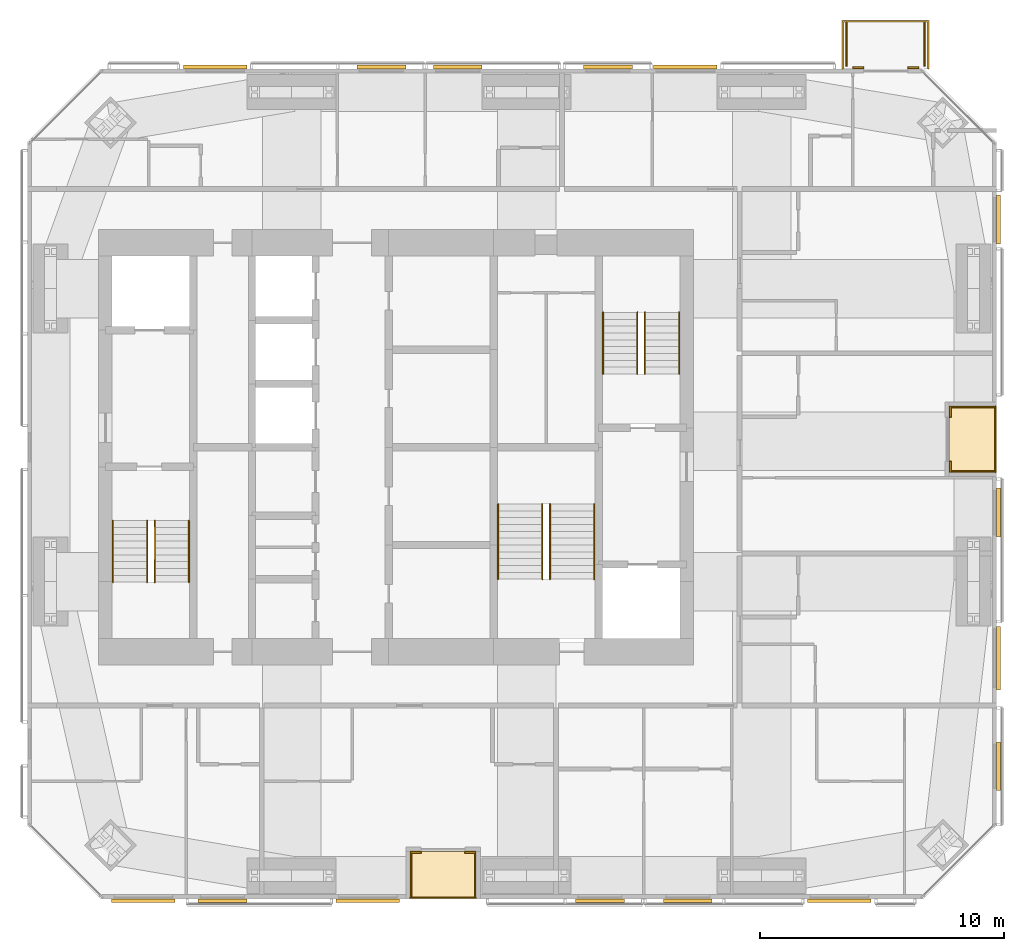
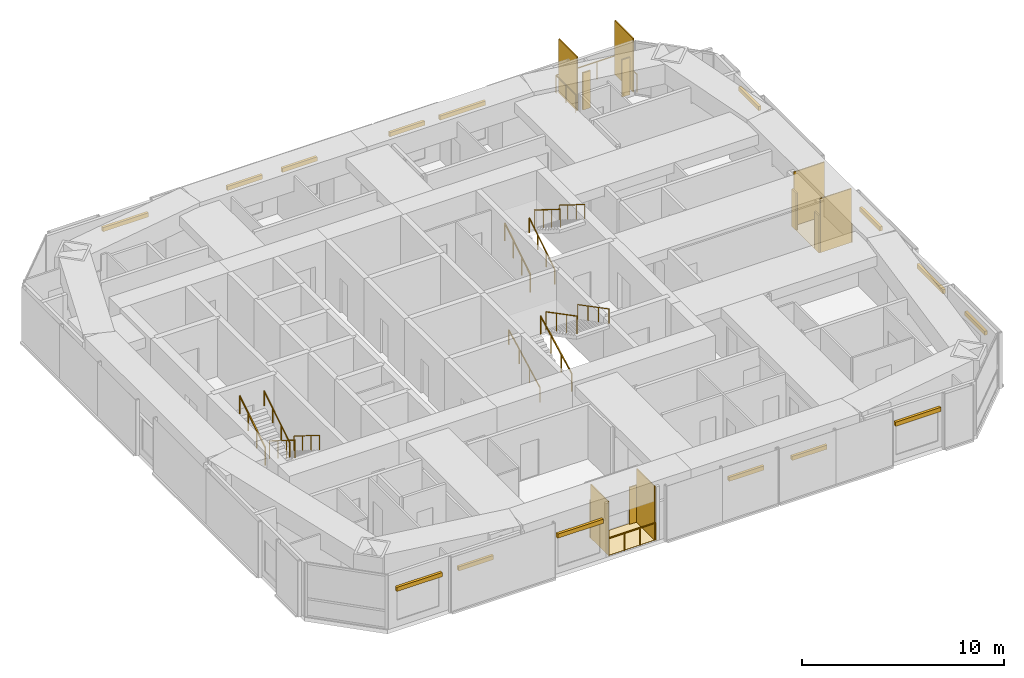
# One storey, part 19 of 19: 27 shading devices, 15 railings, 2 coverings.
"""IFC4 building model written with IfcOpenShell, lengths in metres."""

from ifc_helpers import new_model, si_unit, direction, frame, origin, origin_2d, place, context, subcontext, project, spatial, polyline, rectangle, circle, outline, extrude, material, layer, layer_set, constituent, constituent_set, type_object, element, save


model = new_model("IFC4")

# Units and contexts
model_context = context("Model", 3, precision=1e-05, world=origin(), true_north=direction((0.0, 1.0)))
body_context = subcontext(model_context, "Body", "Model", "MODEL_VIEW")
ifc_project = project(units=[si_unit("LENGTHUNIT", "METRE"), si_unit("AREAUNIT", "SQUARE_METRE"), si_unit("VOLUMEUNIT", "CUBIC_METRE"), si_unit("PLANEANGLEUNIT", "RADIAN"), si_unit("MASSUNIT", "GRAM", prefix="KILO")], contexts=[model_context])

# Site, building, storey
site_placement = place(None, origin())
site = spatial("IfcSite", under=ifc_project, at=site_placement, CompositionType="ELEMENT")
building_placement = place(site_placement, origin())
building = spatial("IfcBuilding", under=site, at=building_placement, Name="Jalousie Tower", CompositionType="ELEMENT")
storey_placement = place(building_placement, frame((0.0, 0.0, 221.449951171875)))
storey = spatial("IfcBuildingStorey", under=building, at=storey_placement, Name="L60", CompositionType="ELEMENT", Elevation=221.449951171875)

# Shading devices
ifc_material_1 = material(Name="Aluminium impact-rated louvred storm shutter", Category="aluminium")
shading_device_type_1 = type_object("IfcShadingDeviceType", Name="BI-FOLD STORM SHUTTER 900x2250", PredefinedType="SHUTTER", material=ifc_material_1)
for number, where, z_axis, x_axis, name in (
    (1, (32.699951171875, 1.909912109375, 0.0), (0.0, 0.0, 1.0), (1.0, 0.0, 0.0), "Loggia storm shutter L60"),
    (2, (34.949951171875, 1.909912109375, 0.0), (0.0, 0.0, 1.0), (1.0, 0.0, 0.0), "Loggia storm shutter L60"),
    (3, (54.590087890625, 17.699951171875, 0.0), (0.0, 0.0, 1.0), (0.0, 1.0, 0.0), "Loggia storm shutter L60"),
    (4, (54.590087890625, 19.949951171875, 0.0), (0.0, 0.0, 1.0), (0.0, 1.0, 0.0), "Loggia storm shutter L60"),
    (5, (53.07373046875, 34.0400390625, 0.0), (0.0, 0.0, 1.0), (-1.0, 0.0, 0.0), "Balcony storm shutter L60"),
    (6, (50.82373046875, 34.0400390625, 0.0), (0.0, 0.0, 1.0), (-1.0, 0.0, 0.0), "Balcony storm shutter L60"),
):
    element("IfcShadingDevice", number, at=place(storey_placement, frame(where, z_axis=z_axis, x_axis=x_axis)), inside=storey, type_object=shading_device_type_1, Name=name, PredefinedType="SHUTTER", context=body_context, shape_type="SweptSolid", body=[
        extrude(rectangle(XDim=0.449951171875, YDim=0.080078125, at=origin_2d()), origin(), (0.0, 0.0, 1.0), 2.25),
    ])

# Railings
ifc_material_2 = material(Name="Powder-coated aluminium fretwork", Category="aluminium")
railing_type_1 = type_object("IfcRailingType", Name="FRETWORK BALUSTRADE 1100", PredefinedType="BALUSTRADE", material=ifc_material_2)
railing_1_placement = place(storey_placement, frame((32.47509765625, 0.050048828125, 0.0)))
element("IfcRailing", 7, at=railing_1_placement, inside=storey, type_object=railing_type_1, Name="Loggia fretwork balustrade L60", PredefinedType="BALUSTRADE", context=body_context, shape_type="SweptSolid", body=[
    extrude(rectangle(XDim=0.048095703125, YDim=0.048095703125, at=origin_2d()), frame((0.0, 0.0, 1.076171875), z_axis=(1.0, 0.0, 0.0), x_axis=(0.0, 1.0, 0.0)), (0.0, 0.0, 1.0), 2.699951171875),
    extrude(circle(Radius=0.02099609375, at=origin_2d()), origin(), (0.0, 0.0, 1.0), 1.052001953125),
    extrude(circle(Radius=0.02099609375, at=origin_2d()), frame((0.89990234375, 0.0, 0.0)), (0.0, 0.0, 1.0), 1.052001953125),
    extrude(circle(Radius=0.02099609375, at=origin_2d()), frame((1.800048828125, 0.0, 0.0)), (0.0, 0.0, 1.0), 1.052001953125),
    extrude(circle(Radius=0.02099609375, at=origin_2d()), frame((2.699951171875, 0.0, 0.0)), (0.0, 0.0, 1.0), 1.052001953125),
])
railing_2_placement = place(storey_placement, frame((56.449951171875, 17.47509765625, 0.0)))
element("IfcRailing", 8, at=railing_2_placement, inside=storey, type_object=railing_type_1, Name="Loggia fretwork balustrade L60", PredefinedType="BALUSTRADE", context=body_context, shape_type="SweptSolid", body=[
    extrude(rectangle(XDim=0.048095703125, YDim=0.048095703125, at=origin_2d()), frame((0.0, 0.0, 1.076171875), z_axis=(0.0, 1.0, 0.0), x_axis=(-1.0, 0.0, 0.0)), (0.0, 0.0, 1.0), 2.699951171875),
    extrude(circle(Radius=0.02099609375, at=origin_2d()), origin(), (0.0, 0.0, 1.0), 1.052001953125),
    extrude(circle(Radius=0.02099609375, at=origin_2d()), frame((0.0, 0.89990234375, 0.0)), (0.0, 0.0, 1.0), 1.052001953125),
    extrude(circle(Radius=0.02099609375, at=origin_2d()), frame((0.0, 1.800048828125, 0.0)), (0.0, 0.0, 1.0), 1.052001953125),
    extrude(circle(Radius=0.02099609375, at=origin_2d()), frame((0.0, 2.699951171875, 0.0)), (0.0, 0.0, 1.0), 1.052001953125),
])
railing_3_placement = place(storey_placement, frame((53.69873046875, 34.0, 0.0)))
element("IfcRailing", 9, at=railing_3_placement, inside=storey, type_object=railing_type_1, Name="Balcony fretwork balustrade L60", PredefinedType="BALUSTRADE", context=body_context, shape_type="SweptSolid", body=[
    extrude(rectangle(XDim=0.048095703125, YDim=0.048095703125, at=origin_2d()), frame((0.0, 0.0, 1.076171875), z_axis=(0.0, 1.0, 0.0), x_axis=(-1.0, 0.0, 0.0)), (0.0, 0.0, 1.0), 1.949951171875),
    extrude(rectangle(XDim=0.048095703125, YDim=0.048095703125, at=origin_2d()), frame((0.0, 1.949951171875, 1.076171875), z_axis=(-1.0, 0.0, 0.0), x_axis=(0.0, -1.0, 0.0)), (0.0, 0.0, 1.0), 3.5),
    extrude(rectangle(XDim=0.048095703125, YDim=0.048095703125, at=origin_2d()), frame((-3.5, 1.949951171875, 1.076171875), z_axis=(0.0, -1.0, 0.0), x_axis=(1.0, 0.0, 0.0)), (0.0, 0.0, 1.0), 1.949951171875),
    extrude(circle(Radius=0.02099609375, at=origin_2d()), origin(), (0.0, 0.0, 1.0), 1.052001953125),
    extrude(circle(Radius=0.02099609375, at=origin_2d()), frame((0.0, 0.97509765625, 0.0)), (0.0, 0.0, 1.0), 1.052001953125),
    extrude(circle(Radius=0.02099609375, at=origin_2d()), frame((0.0, 1.949951171875, 0.0)), (0.0, 0.0, 1.0), 1.052001953125),
    extrude(circle(Radius=0.02099609375, at=origin_2d()), frame((-1.166748046875, 1.949951171875, 0.0)), (0.0, 0.0, 1.0), 1.052001953125),
    extrude(circle(Radius=0.02099609375, at=origin_2d()), frame((-2.333251953125, 1.949951171875, 0.0)), (0.0, 0.0, 1.0), 1.052001953125),
    extrude(circle(Radius=0.02099609375, at=origin_2d()), frame((-3.5, 1.949951171875, 0.0)), (0.0, 0.0, 1.0), 1.052001953125),
    extrude(circle(Radius=0.02099609375, at=origin_2d()), frame((-3.5, 0.97509765625, 0.0)), (0.0, 0.0, 1.0), 1.052001953125),
    extrude(circle(Radius=0.02099609375, at=origin_2d()), frame((-3.5, 0.0, 0.0)), (0.0, 0.0, 1.0), 1.052001953125),
])

# Shading devices
ifc_material_3 = material(Name="Powder-coated aluminium louvres", Category="aluminium")
ifc_layer_1 = layer(ifc_material_3, 0.06005859375)
ifc_layer_set_1 = layer_set([ifc_layer_1], Name="Powder-coated aluminium louvres")
shading_device_type_2 = type_object("IfcShadingDeviceType", Name="JALOUSIE LOUVRE SCREEN", PredefinedType="JALOUSIE", material=ifc_layer_set_1)
for number, where, z_axis, x_axis, name in (
    (10, (32.5048828125, 0.97509765625, 0.0), (0.0, 0.0, 1.0), (1.0, 0.0, 0.0), "Loggia jalousie louvre screen L60"),
    (11, (35.14501953125, 0.97509765625, 0.0), (0.0, 0.0, 1.0), (1.0, 0.0, 0.0), "Loggia jalousie louvre screen L60"),
    (12, (55.52490234375, 17.5048828125, 0.0), (0.0, 0.0, 1.0), (0.0, 1.0, 0.0), "Loggia jalousie louvre screen L60"),
    (13, (55.52490234375, 20.14501953125, 0.0), (0.0, 0.0, 1.0), (0.0, 1.0, 0.0), "Loggia jalousie louvre screen L60"),
):
    element("IfcShadingDevice", number, at=place(storey_placement, frame(where, z_axis=z_axis, x_axis=x_axis)), inside=storey, type_object=shading_device_type_2, Name=name, PredefinedType="JALOUSIE", context=body_context, shape_type="SweptSolid", body=[
        extrude(rectangle(XDim=0.06005859375, YDim=1.75, at=origin_2d()), origin(), (0.0, 0.0, 1.0), 3.260009765625),
    ])
for number, where, z_axis, x_axis, name in (
    (14, (53.548583984375, 35.0, 0.0), (0.0, 0.0, 1.0), (-1.0, 0.0, 0.0), "Jalousie louvre screen L60"),
    (15, (50.3486328125, 35.0, 0.0), (0.0, 0.0, 1.0), (-1.0, 0.0, 0.0), "Jalousie louvre screen L60"),
):
    element("IfcShadingDevice", number, at=place(storey_placement, frame(where, z_axis=z_axis, x_axis=x_axis)), inside=storey, type_object=shading_device_type_2, Name=name, PredefinedType="JALOUSIE", context=body_context, shape_type="SweptSolid", body=[
        extrude(rectangle(XDim=0.06005859375, YDim=1.800048828125, at=origin_2d()), origin(), (0.0, 0.0, 1.0), 3.260009765625),
    ])

# Railings
ifc_material_4 = material(Name="Steel ASTM A500 Grade C", Category="steel")
ifc_constituent_1 = constituent(ifc_material_4, Name="Body")
ifc_material_5 = material(Name="Hot-dip galvanised zinc coating")
ifc_constituent_2 = constituent(ifc_material_5, Name="Finish")
ifc_constituent_set_1 = constituent_set(constituents=[ifc_constituent_1, ifc_constituent_2])
railing_type_2 = type_object("IfcRailingType", Name="STAIR GUARD 1100", PredefinedType="GUARDRAIL", material=ifc_constituent_set_1)
railing_4_placement = place(storey_placement, frame((22.017578125, 15.49755859375, 0.175048828125)))
element("IfcRailing", 16, at=railing_4_placement, inside=storey, type_object=railing_type_2, Name="Exit stair A guard L60 flight 1", PredefinedType="GUARDRAIL", context=body_context, shape_type="SweptSolid", body=[
    extrude(rectangle(XDim=0.048095703125, YDim=0.048095703125, at=origin_2d()), frame((0.0, 0.0, 1.076171875), z_axis=(0.0, -0.848007534815, 0.529984170421), x_axis=(1.0, 0.0, 0.0)), (0.0, 0.0, 1.0), 2.9716796875),
    extrude(circle(Radius=0.02099609375, at=origin_2d()), origin(), (0.0, 0.0, 1.0), 1.052001953125),
    extrude(circle(Radius=0.02099609375, at=origin_2d()), frame((0.0, -0.840087890625, 0.52490234375)), (0.0, 0.0, 1.0), 1.052001953125),
    extrude(circle(Radius=0.02099609375, at=origin_2d()), frame((0.0, -1.679931640625, 1.050048828125)), (0.0, 0.0, 1.0), 1.052001953125),
    extrude(circle(Radius=0.02099609375, at=origin_2d()), frame((0.0, -2.52001953125, 1.574951171875)), (0.0, 0.0, 1.0), 1.052001953125),
])
for number, where, name in (
    (17, (20.304931640625, 12.9775390625, 1.925048828125), "Exit stair A guard L60 flight 2"),
    (18, (40.3798828125, 21.50244140625, 0.175048828125), "Exit stair B guard L60 flight 1"),
):
    element("IfcRailing", number, at=place(storey_placement, frame(where)), inside=storey, type_object=railing_type_2, Name=name, PredefinedType="GUARDRAIL", context=body_context, shape_type="SweptSolid", body=[
        extrude(rectangle(XDim=0.048095703125, YDim=0.048095703125, at=origin_2d()), frame((0.0, 0.0, 1.076171875), z_axis=(0.0, 0.848007534815, 0.529984170421), x_axis=(-1.0, 0.0, 0.0)), (0.0, 0.0, 1.0), 2.9716796875),
        extrude(circle(Radius=0.02099609375, at=origin_2d()), origin(), (0.0, 0.0, 1.0), 1.052001953125),
        extrude(circle(Radius=0.02099609375, at=origin_2d()), frame((0.0, 0.840087890625, 0.52490234375)), (0.0, 0.0, 1.0), 1.052001953125),
        extrude(circle(Radius=0.02099609375, at=origin_2d()), frame((0.0, 1.679931640625, 1.050048828125)), (0.0, 0.0, 1.0), 1.052001953125),
        extrude(circle(Radius=0.02099609375, at=origin_2d()), frame((0.0, 2.52001953125, 1.574951171875)), (0.0, 0.0, 1.0), 1.052001953125),
    ])
railing_5_placement = place(storey_placement, frame((42.092529296875, 24.0224609375, 1.925048828125)))
element("IfcRailing", 19, at=railing_5_placement, inside=storey, type_object=railing_type_2, Name="Exit stair B guard L60 flight 2", PredefinedType="GUARDRAIL", context=body_context, shape_type="SweptSolid", body=[
    extrude(rectangle(XDim=0.048095703125, YDim=0.048095703125, at=origin_2d()), frame((0.0, 0.0, 1.076171875), z_axis=(0.0, -0.848007534815, 0.529984170421), x_axis=(1.0, 0.0, 0.0)), (0.0, 0.0, 1.0), 2.9716796875),
    extrude(circle(Radius=0.02099609375, at=origin_2d()), origin(), (0.0, 0.0, 1.0), 1.052001953125),
    extrude(circle(Radius=0.02099609375, at=origin_2d()), frame((0.0, -0.840087890625, 0.52490234375)), (0.0, 0.0, 1.0), 1.052001953125),
    extrude(circle(Radius=0.02099609375, at=origin_2d()), frame((0.0, -1.679931640625, 1.050048828125)), (0.0, 0.0, 1.0), 1.052001953125),
    extrude(circle(Radius=0.02099609375, at=origin_2d()), frame((0.0, -2.52001953125, 1.574951171875)), (0.0, 0.0, 1.0), 1.052001953125),
])
railing_6_placement = place(storey_placement, frame((37.89501953125, 13.097412109375, 0.145751953125)))
element("IfcRailing", 20, at=railing_6_placement, inside=storey, type_object=railing_type_2, Name="Exit stair C guard L60 flight 1", PredefinedType="GUARDRAIL", context=body_context, shape_type="SweptSolid", body=[
    extrude(rectangle(XDim=0.048095703125, YDim=0.048095703125, at=origin_2d()), frame((0.0, 0.0, 1.076171875), z_axis=(0.0, 0.886909283822, 0.461943635383), x_axis=(-1.0, 0.0, 0.0)), (0.0, 0.0, 1.0), 3.472900390625),
    extrude(circle(Radius=0.02099609375, at=origin_2d()), origin(), (0.0, 0.0, 1.0), 1.052001953125),
    extrude(circle(Radius=0.02099609375, at=origin_2d()), frame((0.0, 1.026611328125, 0.53466796875)), (0.0, 0.0, 1.0), 1.052001953125),
    extrude(circle(Radius=0.02099609375, at=origin_2d()), frame((0.0, 2.053466796875, 1.069580078125)), (0.0, 0.0, 1.0), 1.052001953125),
    extrude(circle(Radius=0.02099609375, at=origin_2d()), frame((0.0, 3.080078125, 1.604248046875)), (0.0, 0.0, 1.0), 1.052001953125),
])
railing_7_placement = place(storey_placement, frame((38.205078125, 16.177490234375, 1.895751953125)))
element("IfcRailing", 21, at=railing_7_placement, inside=storey, type_object=railing_type_2, Name="Exit stair C guard L60 flight 2", PredefinedType="GUARDRAIL", context=body_context, shape_type="SweptSolid", body=[
    extrude(rectangle(XDim=0.048095703125, YDim=0.048095703125, at=origin_2d()), frame((0.0, 0.0, 1.076171875), z_axis=(0.0, -0.886909283822, 0.461943635383), x_axis=(1.0, 0.0, 0.0)), (0.0, 0.0, 1.0), 3.472900390625),
    extrude(circle(Radius=0.02099609375, at=origin_2d()), origin(), (0.0, 0.0, 1.0), 1.052001953125),
    extrude(circle(Radius=0.02099609375, at=origin_2d()), frame((0.0, -1.026611328125, 0.53466796875)), (0.0, 0.0, 1.0), 1.052001953125),
    extrude(circle(Radius=0.02099609375, at=origin_2d()), frame((0.0, -2.053466796875, 1.069580078125)), (0.0, 0.0, 1.0), 1.052001953125),
    extrude(circle(Radius=0.02099609375, at=origin_2d()), frame((0.0, -3.080078125, 1.604248046875)), (0.0, 0.0, 1.0), 1.052001953125),
])
ifc_material_6 = material(Name="Steel ASTM A500 Grade C", Category="steel")
ifc_constituent_3 = constituent(ifc_material_6, Name="Body")
ifc_material_7 = material(Name="Hot-dip galvanised zinc coating")
ifc_constituent_4 = constituent(ifc_material_7, Name="Finish")
ifc_constituent_set_2 = constituent_set(constituents=[ifc_constituent_3, ifc_constituent_4])
railing_type_3 = type_object("IfcRailingType", Name="STAIR HANDRAIL 900", PredefinedType="HANDRAIL", material=ifc_constituent_set_2)
railing_8_placement = place(storey_placement, frame((23.420166015625, 15.49755859375, 0.175048828125)))
element("IfcRailing", 22, at=railing_8_placement, inside=storey, type_object=railing_type_3, Name="Exit stair A handrail L60 flight 1", PredefinedType="HANDRAIL", context=body_context, shape_type="SweptSolid", body=[
    extrude(circle(Radius=0.02392578125, at=origin_2d()), frame((0.0, 0.0, 0.8759765625), z_axis=(0.0, -0.848007534815, 0.529984170421), x_axis=(1.0, 0.0, 0.0)), (0.0, 0.0, 1.0), 2.9716796875),
    extrude(circle(Radius=0.02099609375, at=origin_2d()), origin(), (0.0, 0.0, 1.0), 0.851806640625),
    extrude(circle(Radius=0.02099609375, at=origin_2d()), frame((0.0, -0.840087890625, 0.52490234375)), (0.0, 0.0, 1.0), 0.851806640625),
    extrude(circle(Radius=0.02099609375, at=origin_2d()), frame((0.0, -1.679931640625, 1.050048828125)), (0.0, 0.0, 1.0), 0.851806640625),
    extrude(circle(Radius=0.02099609375, at=origin_2d()), frame((0.0, -2.52001953125, 1.574951171875)), (0.0, 0.0, 1.0), 0.851806640625),
])
for number, where, name in (
    (23, (21.70751953125, 12.9775390625, 1.925048828125), "Exit stair A handrail L60 flight 2"),
    (24, (41.782470703125, 21.50244140625, 0.175048828125), "Exit stair B handrail L60 flight 1"),
):
    element("IfcRailing", number, at=place(storey_placement, frame(where)), inside=storey, type_object=railing_type_3, Name=name, PredefinedType="HANDRAIL", context=body_context, shape_type="SweptSolid", body=[
        extrude(circle(Radius=0.02392578125, at=origin_2d()), frame((0.0, 0.0, 0.8759765625), z_axis=(0.0, 0.848007534815, 0.529984170421), x_axis=(-1.0, 0.0, 0.0)), (0.0, 0.0, 1.0), 2.9716796875),
        extrude(circle(Radius=0.02099609375, at=origin_2d()), origin(), (0.0, 0.0, 1.0), 0.851806640625),
        extrude(circle(Radius=0.02099609375, at=origin_2d()), frame((0.0, 0.840087890625, 0.52490234375)), (0.0, 0.0, 1.0), 0.851806640625),
        extrude(circle(Radius=0.02099609375, at=origin_2d()), frame((0.0, 1.679931640625, 1.050048828125)), (0.0, 0.0, 1.0), 0.851806640625),
        extrude(circle(Radius=0.02099609375, at=origin_2d()), frame((0.0, 2.52001953125, 1.574951171875)), (0.0, 0.0, 1.0), 0.851806640625),
    ])
railing_9_placement = place(storey_placement, frame((43.4951171875, 24.0224609375, 1.925048828125)))
element("IfcRailing", 25, at=railing_9_placement, inside=storey, type_object=railing_type_3, Name="Exit stair B handrail L60 flight 2", PredefinedType="HANDRAIL", context=body_context, shape_type="SweptSolid", body=[
    extrude(circle(Radius=0.02392578125, at=origin_2d()), frame((0.0, 0.0, 0.8759765625), z_axis=(0.0, -0.848007534815, 0.529984170421), x_axis=(1.0, 0.0, 0.0)), (0.0, 0.0, 1.0), 2.9716796875),
    extrude(circle(Radius=0.02099609375, at=origin_2d()), origin(), (0.0, 0.0, 1.0), 0.851806640625),
    extrude(circle(Radius=0.02099609375, at=origin_2d()), frame((0.0, -0.840087890625, 0.52490234375)), (0.0, 0.0, 1.0), 0.851806640625),
    extrude(circle(Radius=0.02099609375, at=origin_2d()), frame((0.0, -1.679931640625, 1.050048828125)), (0.0, 0.0, 1.0), 0.851806640625),
    extrude(circle(Radius=0.02099609375, at=origin_2d()), frame((0.0, -2.52001953125, 1.574951171875)), (0.0, 0.0, 1.0), 0.851806640625),
])
railing_10_placement = place(storey_placement, frame((36.080078125, 13.097412109375, 0.145751953125)))
element("IfcRailing", 26, at=railing_10_placement, inside=storey, type_object=railing_type_3, Name="Exit stair C handrail L60 flight 1", PredefinedType="HANDRAIL", context=body_context, shape_type="SweptSolid", body=[
    extrude(circle(Radius=0.02392578125, at=origin_2d()), frame((0.0, 0.0, 0.8759765625), z_axis=(0.0, 0.886909283822, 0.461943635383), x_axis=(-1.0, 0.0, 0.0)), (0.0, 0.0, 1.0), 3.472900390625),
    extrude(circle(Radius=0.02099609375, at=origin_2d()), origin(), (0.0, 0.0, 1.0), 0.851806640625),
    extrude(circle(Radius=0.02099609375, at=origin_2d()), frame((0.0, 1.026611328125, 0.53466796875)), (0.0, 0.0, 1.0), 0.851806640625),
    extrude(circle(Radius=0.02099609375, at=origin_2d()), frame((0.0, 2.053466796875, 1.069580078125)), (0.0, 0.0, 1.0), 0.851806640625),
    extrude(circle(Radius=0.02099609375, at=origin_2d()), frame((0.0, 3.080078125, 1.604248046875)), (0.0, 0.0, 1.0), 0.851806640625),
])
railing_11_placement = place(storey_placement, frame((40.02001953125, 16.177490234375, 1.895751953125)))
element("IfcRailing", 27, at=railing_11_placement, inside=storey, type_object=railing_type_3, Name="Exit stair C handrail L60 flight 2", PredefinedType="HANDRAIL", context=body_context, shape_type="SweptSolid", body=[
    extrude(circle(Radius=0.02392578125, at=origin_2d()), frame((0.0, 0.0, 0.8759765625), z_axis=(0.0, -0.886909283822, 0.461943635383), x_axis=(1.0, 0.0, 0.0)), (0.0, 0.0, 1.0), 3.472900390625),
    extrude(circle(Radius=0.02099609375, at=origin_2d()), origin(), (0.0, 0.0, 1.0), 0.851806640625),
    extrude(circle(Radius=0.02099609375, at=origin_2d()), frame((0.0, -1.026611328125, 0.53466796875)), (0.0, 0.0, 1.0), 0.851806640625),
    extrude(circle(Radius=0.02099609375, at=origin_2d()), frame((0.0, -2.053466796875, 1.069580078125)), (0.0, 0.0, 1.0), 0.851806640625),
    extrude(circle(Radius=0.02099609375, at=origin_2d()), frame((0.0, -3.080078125, 1.604248046875)), (0.0, 0.0, 1.0), 0.851806640625),
])

# Shading devices
ifc_material_8 = material(Name="Aluminium roller storm shutter", Category="aluminium")
shading_device_type_3 = type_object("IfcShadingDeviceType", Name="STORM SHUTTER HOUSING", PredefinedType="SHUTTER", material=ifc_material_8)
shading_device_1_placement = place(storey_placement, frame((21.550537109375, -0.074951171875, 2.25), z_axis=(0.0, 0.0, 1.0), x_axis=(1.0, 0.0, 0.0)))
element("IfcShadingDevice", 28, at=shading_device_1_placement, inside=storey, type_object=shading_device_type_3, Name="Storm shutter L60", PredefinedType="SHUTTER", context=body_context, shape_type="SweptSolid", body=[
    extrude(rectangle(XDim=2.60009765625, YDim=0.14990234375, at=origin_2d()), origin(), (0.0, 0.0, 1.0), 0.25),
])
shading_device_2_placement = place(storey_placement, frame((24.791259765625, -0.074951171875, 2.25), z_axis=(0.0, 0.0, 1.0), x_axis=(1.0, 0.0, 0.0)))
element("IfcShadingDevice", 29, at=shading_device_2_placement, inside=storey, type_object=shading_device_type_3, Name="Storm shutter L60", PredefinedType="SHUTTER", context=body_context, shape_type="SweptSolid", body=[
    extrude(rectangle(XDim=2.0, YDim=0.14990234375, at=origin_2d()), origin(), (0.0, 0.0, 1.0), 0.25),
])
shading_device_3_placement = place(storey_placement, frame((30.75, -0.074951171875, 2.25), z_axis=(0.0, 0.0, 1.0), x_axis=(1.0, 0.0, 0.0)))
element("IfcShadingDevice", 30, at=shading_device_3_placement, inside=storey, type_object=shading_device_type_3, Name="Storm shutter L60", PredefinedType="SHUTTER", context=body_context, shape_type="SweptSolid", body=[
    extrude(rectangle(XDim=2.60009765625, YDim=0.14990234375, at=origin_2d()), origin(), (0.0, 0.0, 1.0), 0.25),
])
for number, where, z_axis, x_axis, name in (
    (31, (40.25, -0.074951171875, 2.25), (0.0, 0.0, 1.0), (1.0, 0.0, 0.0), "Storm shutter L60"),
    (32, (43.85009765625, -0.074951171875, 2.25), (0.0, 0.0, 1.0), (1.0, 0.0, 0.0), "Storm shutter L60"),
):
    element("IfcShadingDevice", number, at=place(storey_placement, frame(where, z_axis=z_axis, x_axis=x_axis)), inside=storey, type_object=shading_device_type_3, Name=name, PredefinedType="SHUTTER", context=body_context, shape_type="SweptSolid", body=[
        extrude(rectangle(XDim=2.0, YDim=0.14990234375, at=origin_2d()), origin(), (0.0, 0.0, 1.0), 0.25),
    ])
shading_device_4_placement = place(storey_placement, frame((50.059326171875, -0.074951171875, 2.25), z_axis=(0.0, 0.0, 1.0), x_axis=(1.0, 0.0, 0.0)))
element("IfcShadingDevice", 33, at=shading_device_4_placement, inside=storey, type_object=shading_device_type_3, Name="Storm shutter L60", PredefinedType="SHUTTER", context=body_context, shape_type="SweptSolid", body=[
    extrude(rectangle(XDim=2.60009765625, YDim=0.14990234375, at=origin_2d()), origin(), (0.0, 0.0, 1.0), 0.25),
])
shading_device_5_placement = place(storey_placement, frame((56.574951171875, 5.43798828125, 2.25), z_axis=(0.0, 0.0, 1.0), x_axis=(0.0, 1.0, 0.0)))
element("IfcShadingDevice", 34, at=shading_device_5_placement, inside=storey, type_object=shading_device_type_3, Name="Storm shutter L60", PredefinedType="SHUTTER", context=body_context, shape_type="SweptSolid", body=[
    extrude(rectangle(XDim=2.0, YDim=0.14990234375, at=origin_2d()), origin(), (0.0, 0.0, 1.0), 0.25),
])
shading_device_6_placement = place(storey_placement, frame((56.574951171875, 9.867431640625, 2.25), z_axis=(0.0, 0.0, 1.0), x_axis=(0.0, 1.0, 0.0)))
element("IfcShadingDevice", 35, at=shading_device_6_placement, inside=storey, type_object=shading_device_type_3, Name="Storm shutter L60", PredefinedType="SHUTTER", context=body_context, shape_type="SweptSolid", body=[
    extrude(rectangle(XDim=2.60009765625, YDim=0.14990234375, at=origin_2d()), origin(), (0.0, 0.0, 1.0), 0.25),
])
for number, where, z_axis, x_axis, name in (
    (36, (56.574951171875, 15.826171875, 2.25), (0.0, 0.0, 1.0), (0.0, 1.0, 0.0), "Storm shutter L60"),
    (37, (56.574951171875, 27.824951171875, 2.25), (0.0, 0.0, 1.0), (0.0, 1.0, 0.0), "Storm shutter L60"),
):
    element("IfcShadingDevice", number, at=place(storey_placement, frame(where, z_axis=z_axis, x_axis=x_axis)), inside=storey, type_object=shading_device_type_3, Name=name, PredefinedType="SHUTTER", context=body_context, shape_type="SweptSolid", body=[
        extrude(rectangle(XDim=2.0, YDim=0.14990234375, at=origin_2d()), origin(), (0.0, 0.0, 1.0), 0.25),
    ])
shading_device_7_placement = place(storey_placement, frame((43.75, 34.074951171875, 2.25), z_axis=(0.0, 0.0, 1.0), x_axis=(-1.0, 0.0, 0.0)))
element("IfcShadingDevice", 38, at=shading_device_7_placement, inside=storey, type_object=shading_device_type_3, Name="Storm shutter L60", PredefinedType="SHUTTER", context=body_context, shape_type="SweptSolid", body=[
    extrude(rectangle(XDim=2.60009765625, YDim=0.14990234375, at=origin_2d()), origin(), (0.0, 0.0, 1.0), 0.25),
])
for number, where, z_axis, x_axis, name in (
    (39, (40.574951171875, 34.074951171875, 2.25), (0.0, 0.0, 1.0), (-1.0, 0.0, 0.0), "Storm shutter L60"),
    (40, (34.425048828125, 34.074951171875, 2.25), (0.0, 0.0, 1.0), (-1.0, 0.0, 0.0), "Storm shutter L60"),
    (41, (31.300048828125, 34.074951171875, 2.25), (0.0, 0.0, 1.0), (-1.0, 0.0, 0.0), "Storm shutter L60"),
):
    element("IfcShadingDevice", number, at=place(storey_placement, frame(where, z_axis=z_axis, x_axis=x_axis)), inside=storey, type_object=shading_device_type_3, Name=name, PredefinedType="SHUTTER", context=body_context, shape_type="SweptSolid", body=[
        extrude(rectangle(XDim=2.0, YDim=0.14990234375, at=origin_2d()), origin(), (0.0, 0.0, 1.0), 0.25),
    ])
shading_device_8_placement = place(storey_placement, frame((24.48828125, 34.074951171875, 2.25), z_axis=(0.0, 0.0, 1.0), x_axis=(-1.0, 0.0, 0.0)))
element("IfcShadingDevice", 42, at=shading_device_8_placement, inside=storey, type_object=shading_device_type_3, Name="Storm shutter L60", PredefinedType="SHUTTER", context=body_context, shape_type="SweptSolid", body=[
    extrude(rectangle(XDim=2.60009765625, YDim=0.14990234375, at=origin_2d()), origin(), (0.0, 0.0, 1.0), 0.25),
])

# Coverings
ifc_material_9 = material(Name="Porcelain paving on adjustable pedestals", Category="masonry")
ifc_layer_2 = layer(ifc_material_9, 0.02001953125)
ifc_layer_set_2 = layer_set([ifc_layer_2], Name="Porcelain paving on adjustable pedestals")
covering_type = type_object("IfcCoveringType", Name="TERRACE PAVING 20", PredefinedType="FLOORING", material=ifc_layer_set_2)
covering_1_placement = place(storey_placement, origin())
element("IfcCovering", 43, at=covering_1_placement, inside=storey, type_object=covering_type, Name="Apartment 6002 terrace paving", PredefinedType="FLOORING", context=body_context, shape_type="SweptSolid", body=[
    extrude(outline(polyline([(32.47509765625, 0.080078125), (35.175048828125, 0.080078125), (35.175048828125, 1.949951171875), (32.47509765625, 1.949951171875), (32.47509765625, 0.080078125)])), origin(), (0.0, 0.0, 1.0), 0.02001953125),
])
covering_2_placement = place(storey_placement, origin())
element("IfcCovering", 44, at=covering_2_placement, inside=storey, type_object=covering_type, Name="Apartment 6007 terrace paving", PredefinedType="FLOORING", context=body_context, shape_type="SweptSolid", body=[
    extrude(outline(polyline([(56.419921875, 17.47509765625), (56.419921875, 20.175048828125), (54.550048828125, 20.175048828125), (54.550048828125, 17.47509765625), (56.419921875, 17.47509765625)])), origin(), (0.0, 0.0, 1.0), 0.02001953125),
])

save(model, "model.ifc")
